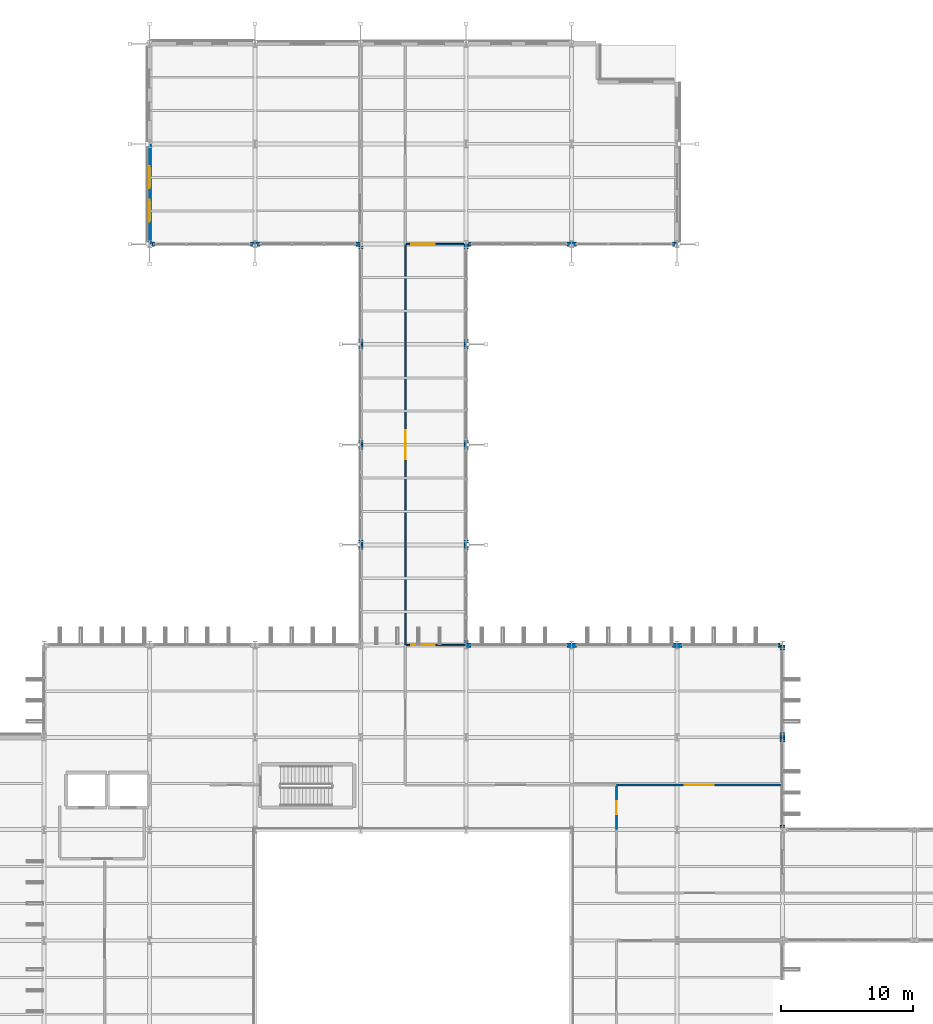
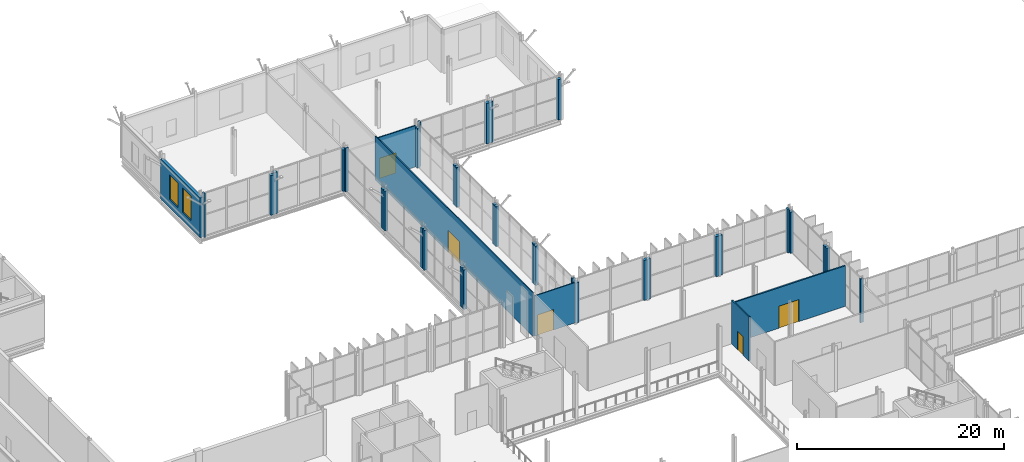
# One storey, part 123 of 147: 39 walls, 5 doors, 2 windows, 7 openings.
"""IFC4 building model written with IfcOpenShell, lengths in metres."""

from ifc_helpers import new_model, si_unit, direction, frame, frame_2d, origin, place, context, subcontext, project, spatial, rectangle, extrude, material, layer, layer_set, type_object, element, fill, save


model = new_model("IFC4")

# Units and contexts
model_context = context("Model", 3, precision=1e-05, world=origin(), true_north=direction((0.0, 1.0)))
body_context = subcontext(model_context, "Body", "Model", "MODEL_VIEW")
ifc_project = project(units=[si_unit("LENGTHUNIT", "METRE"), si_unit("AREAUNIT", "SQUARE_METRE"), si_unit("VOLUMEUNIT", "CUBIC_METRE"), si_unit("PLANEANGLEUNIT", "RADIAN"), si_unit("MASSUNIT", "GRAM", prefix="KILO")], contexts=[model_context])

# Site, building, storey
site_placement = place(None, origin())
site = spatial("IfcSite", under=ifc_project, at=site_placement, CompositionType="ELEMENT")
building_placement = place(site_placement, origin())
building = spatial("IfcBuilding", under=site, at=building_placement, Name="Vekula Escarpment Museum", CompositionType="ELEMENT")
storey_placement = place(building_placement, frame((0.0, 0.0, 7.800048828125)))
storey = spatial("IfcBuildingStorey", under=building, at=storey_placement, Name="L02", CompositionType="ELEMENT", Elevation=7.800048828125)

# Wall, openings, windows
ifc_material_1 = material(Name="Inkisi arkosic sandstone masonry", Category="masonry")
ifc_layer_1 = layer(ifc_material_1, 0.320068359375)
ifc_layer_set_1 = layer_set([ifc_layer_1], Name="Inkisi arkosic sandstone masonry")
wall_type_1 = type_object("IfcWallType", Name="WL-ALM-320", PredefinedType="SOLIDWALL", material=ifc_layer_set_1)
wall_1_placement = place(storey_placement, frame((78.0, 120.800048828125, 0.0), z_axis=(0.0, 0.0, 1.0), x_axis=(0.0, 1.0, 0.0)))
wall_1 = element("IfcWall", 1, at=wall_1_placement, inside=storey, type_object=wall_type_1, Name="Exterior Wall WL-EXT-L02-0454", PredefinedType="SOLIDWALL", context=body_context, shape_type="SweptSolid", body=[
    extrude(rectangle(XDim=7.599853515625, YDim=0.320068359375, at=frame_2d((3.7998046875, 0.0))), origin(), (0.0, 0.0, 1.0), 4.68505859375),
])
opening_1_placement = place(wall_1_placement, frame((1.708251953125, 0.0, 0.949951171875)))
opening_1 = element("IfcOpeningElement", 2, at=opening_1_placement, cuts=wall_1, Name="Opening WN-33", PredefinedType="OPENING", context=body_context, shape_type="SweptSolid", body=[
    extrude(rectangle(XDim=1.64990234375, YDim=2.89990234375, at=frame_2d((0.824951171875, 1.449951171875))), frame((0.0, 0.169921875, 0.0), z_axis=(0.0, -1.0, 0.0), x_axis=(1.0, 0.0, 0.0)), (0.0, 0.0, 1.0), 0.340087890625),
])
opening_2_placement = place(wall_1_placement, frame((4.24169921875, 0.0, 0.949951171875)))
opening_2 = element("IfcOpeningElement", 3, at=opening_2_placement, cuts=wall_1, Name="Opening WN-33", PredefinedType="OPENING", context=body_context, shape_type="SweptSolid", body=[
    extrude(rectangle(XDim=1.64990234375, YDim=2.89990234375, at=frame_2d((0.824951171875, 1.449951171875))), frame((0.0, 0.169921875, 0.0), z_axis=(0.0, -1.0, 0.0), x_axis=(1.0, 0.0, 0.0)), (0.0, 0.0, 1.0), 0.340087890625),
])
ifc_material_2 = material(Name="Double solar-control low-E glass", Category="glass")
window_type = type_object("IfcWindowType", Name="WN-GAL-16x29", PartitioningType="DOUBLE_PANEL_VERTICAL", PredefinedType="WINDOW", material=ifc_material_2)
window_1_placement = place(opening_1_placement, origin())
window_1 = element("IfcWindow", 4, at=window_1_placement, inside=storey, type_object=window_type, Name="Window L02-0235", OverallHeight=2.89990234375, OverallWidth=1.64990234375, PartitioningType="SINGLE_PANEL", PredefinedType="WINDOW", context=body_context, shape_type="SweptSolid", body=[
    extrude(rectangle(XDim=1.64990234375, YDim=2.89990234375, at=frame_2d((0.824951171875, 1.449951171875))), frame((0.0, 0.030029296875, 0.0), z_axis=(0.0, -1.0, 0.0), x_axis=(1.0, 0.0, 0.0)), (0.0, 0.0, 1.0), 0.06005859375),
])
fill(opening_1, window_1)
window_2_placement = place(opening_2_placement, origin())
window_2 = element("IfcWindow", 5, at=window_2_placement, inside=storey, type_object=window_type, Name="Window L02-0236", OverallHeight=2.89990234375, OverallWidth=1.64990234375, PartitioningType="SINGLE_PANEL", PredefinedType="WINDOW", context=body_context, shape_type="SweptSolid", body=[
    extrude(rectangle(XDim=1.64990234375, YDim=2.89990234375, at=frame_2d((0.824951171875, 1.449951171875))), frame((0.0, 0.030029296875, 0.0), z_axis=(0.0, -1.0, 0.0), x_axis=(1.0, 0.0, 0.0)), (0.0, 0.0, 1.0), 0.06005859375),
])
fill(opening_2, window_2)

# Walls
ifc_material_3 = material(Name="Inkisi arkosic sandstone masonry", Category="masonry")
ifc_layer_2 = layer(ifc_material_3, 0.35009765625)
ifc_layer_set_2 = layer_set([ifc_layer_2], Name="Inkisi arkosic sandstone masonry")
wall_type_2 = type_object("IfcWallType", Name="WL-ALM-350", PredefinedType="SOLIDWALL", material=ifc_layer_set_2)
wall_2_placement = place(storey_placement, frame((126.0, 76.5791015625, 0.0), z_axis=(0.0, 0.0, 1.0), x_axis=(0.0, 1.0, 0.0)))
element("IfcWall", 6, at=wall_2_placement, inside=storey, type_object=wall_type_2, Name="Facade Jamb Pier L02-0422A", PredefinedType="SOLIDWALL", context=body_context, shape_type="SweptSolid", body=[
    extrude(rectangle(XDim=0.180908203125, YDim=0.35009765625, at=frame_2d((0.09033203125, 0.0))), origin(), (0.0, 0.0, 1.0), 5.14990234375),
])
wall_3_placement = place(storey_placement, frame((126.0, 83.0400390625, 0.0), z_axis=(0.0, 0.0, 1.0), x_axis=(0.0, 1.0, 0.0)))
element("IfcWall", 7, at=wall_3_placement, inside=storey, type_object=wall_type_2, Name="Facade Jamb Pier L02-0423B", PredefinedType="SOLIDWALL", context=body_context, shape_type="SweptSolid", body=[
    extrude(rectangle(XDim=0.35986328125, YDim=0.35009765625, at=frame_2d((0.179931640625, 0.0))), origin(), (0.0, 0.0, 1.0), 4.844970703125),
])
wall_4_placement = place(storey_placement, frame((126.0, 83.39990234375, 0.0), z_axis=(0.0, 0.0, 1.0), x_axis=(0.0, 1.0, 0.0)))
element("IfcWall", 8, at=wall_4_placement, inside=storey, type_object=wall_type_2, Name="Facade Jamb Pier L02-0424A", PredefinedType="SOLIDWALL", context=body_context, shape_type="SweptSolid", body=[
    extrude(rectangle(XDim=0.360107421875, YDim=0.35009765625, at=frame_2d((0.18017578125, 0.0))), origin(), (0.0, 0.0, 1.0), 4.844970703125),
])
wall_5_placement = place(storey_placement, frame((126.0, 90.0400390625, 0.0), z_axis=(0.0, 0.0, 1.0), x_axis=(0.0, 1.0, 0.0)))
element("IfcWall", 9, at=wall_5_placement, inside=storey, type_object=wall_type_2, Name="Facade Jamb Pier L02-0425B", PredefinedType="SOLIDWALL", context=body_context, shape_type="SweptSolid", body=[
    extrude(rectangle(XDim=0.35986328125, YDim=0.35009765625, at=frame_2d((0.179931640625, 0.0))), origin(), (0.0, 0.0, 1.0), 4.844970703125),
])
wall_6_placement = place(storey_placement, frame((125.821044921875, 90.39990234375, 0.0), z_axis=(0.0, 0.0, 1.0), x_axis=(-1.0, 0.0, 0.0)))
element("IfcWall", 10, at=wall_6_placement, inside=storey, type_object=wall_type_2, Name="Facade Jamb Pier L02-0426A", PredefinedType="SOLIDWALL", context=body_context, shape_type="SweptSolid", body=[
    extrude(rectangle(XDim=0.18115234375, YDim=0.35009765625, at=frame_2d((0.090576171875, 0.0))), origin(), (0.0, 0.0, 1.0), 5.14990234375),
])
for number, where, z_axis, x_axis, name in (
    (11, (118.360107421875, 90.39990234375, 0.0), (0.0, 0.0, 1.0), (-1.0, 0.0, 0.0), "Facade Jamb Pier L02-0427B"),
    (12, (118.0, 90.39990234375, 0.0), (0.0, 0.0, 1.0), (-1.0, 0.0, 0.0), "Facade Jamb Pier L02-0428A"),
    (13, (110.360107421875, 90.39990234375, 0.0), (0.0, 0.0, 1.0), (-1.0, 0.0, 0.0), "Facade Jamb Pier L02-0429B"),
    (14, (110.0, 90.39990234375, 0.0), (0.0, 0.0, 1.0), (-1.0, 0.0, 0.0), "Facade Jamb Pier L02-0430A"),
    (15, (102.360107421875, 90.39990234375, 0.0), (0.0, 0.0, 1.0), (-1.0, 0.0, 0.0), "Facade Jamb Pier L02-0431B"),
):
    element("IfcWall", number, at=place(storey_placement, frame(where, z_axis=z_axis, x_axis=x_axis)), inside=storey, type_object=wall_type_2, Name=name, PredefinedType="SOLIDWALL", context=body_context, shape_type="SweptSolid", body=[
        extrude(rectangle(XDim=0.360107421875, YDim=0.35009765625, at=frame_2d((0.18017578125, 0.0))), origin(), (0.0, 0.0, 1.0), 4.744873046875),
    ])
wall_7_placement = place(storey_placement, frame((102.0, 90.5791015625, 0.0), z_axis=(0.0, 0.0, 1.0), x_axis=(0.0, 1.0, 0.0)))
element("IfcWall", 16, at=wall_7_placement, inside=storey, type_object=wall_type_2, Name="Facade Jamb Pier L02-0432A", PredefinedType="SOLIDWALL", context=body_context, shape_type="SweptSolid", body=[
    extrude(rectangle(XDim=0.180908203125, YDim=0.35009765625, at=frame_2d((0.09033203125, 0.0))), origin(), (0.0, 0.0, 1.0), 5.14990234375),
])
wall_8_placement = place(storey_placement, frame((102.0, 97.639892578125, 0.0), z_axis=(0.0, 0.0, 1.0), x_axis=(0.0, 1.0, 0.0)))
element("IfcWall", 17, at=wall_8_placement, inside=storey, type_object=wall_type_2, Name="Facade Jamb Pier L02-0433B", PredefinedType="SOLIDWALL", context=body_context, shape_type="SweptSolid", body=[
    extrude(rectangle(XDim=0.360107421875, YDim=0.35009765625, at=frame_2d((0.18017578125, 0.0))), origin(), (0.0, 0.0, 1.0), 4.635009765625),
])
for number, where, z_axis, x_axis, name in (
    (18, (102.0, 98.0, 0.0), (0.0, 0.0, 1.0), (0.0, 1.0, 0.0), "Facade Jamb Pier L02-0434A"),
    (19, (102.0, 105.239990234375, 0.0), (0.0, 0.0, 1.0), (0.0, 1.0, 0.0), "Facade Jamb Pier L02-0435B"),
):
    element("IfcWall", number, at=place(storey_placement, frame(where, z_axis=z_axis, x_axis=x_axis)), inside=storey, type_object=wall_type_2, Name=name, PredefinedType="SOLIDWALL", context=body_context, shape_type="SweptSolid", body=[
        extrude(rectangle(XDim=0.360107421875, YDim=0.35009765625, at=frame_2d((0.18017578125, 0.0))), origin(), (0.0, 0.0, 1.0), 4.68505859375),
    ])
for number, where, z_axis, x_axis, name in (
    (20, (102.0, 105.60009765625, 0.0), (0.0, 0.0, 1.0), (0.0, 1.0, 0.0), "Facade Jamb Pier L02-0436A"),
    (21, (102.0, 112.840087890625, 0.0), (0.0, 0.0, 1.0), (0.0, 1.0, 0.0), "Facade Jamb Pier L02-0437B"),
):
    element("IfcWall", number, at=place(storey_placement, frame(where, z_axis=z_axis, x_axis=x_axis)), inside=storey, type_object=wall_type_2, Name=name, PredefinedType="SOLIDWALL", context=body_context, shape_type="SweptSolid", body=[
        extrude(rectangle(XDim=0.35986328125, YDim=0.35009765625, at=frame_2d((0.179931640625, 0.0))), origin(), (0.0, 0.0, 1.0), 4.68505859375),
    ])
for number, where, z_axis, x_axis, name in (
    (22, (102.0, 113.199951171875, 0.0), (0.0, 0.0, 1.0), (0.0, 1.0, 0.0), "Facade Jamb Pier L02-0438A"),
    (23, (102.0, 120.43994140625, 0.0), (0.0, 0.0, 1.0), (0.0, 1.0, 0.0), "Facade Jamb Pier L02-0439B"),
):
    element("IfcWall", number, at=place(storey_placement, frame(where, z_axis=z_axis, x_axis=x_axis)), inside=storey, type_object=wall_type_2, Name=name, PredefinedType="SOLIDWALL", context=body_context, shape_type="SweptSolid", body=[
        extrude(rectangle(XDim=0.360107421875, YDim=0.35009765625, at=frame_2d((0.18017578125, 0.0))), origin(), (0.0, 0.0, 1.0), 4.68505859375),
    ])
wall_9_placement = place(storey_placement, frame((102.178955078125, 120.800048828125, 0.0), z_axis=(0.0, 0.0, 1.0), x_axis=(1.0, 0.0, 0.0)))
element("IfcWall", 24, at=wall_9_placement, inside=storey, type_object=wall_type_2, Name="Facade Jamb Pier L02-0440A", PredefinedType="SOLIDWALL", context=body_context, shape_type="SweptSolid", body=[
    extrude(rectangle(XDim=0.18115234375, YDim=0.35009765625, at=frame_2d((0.090576171875, 0.0))), origin(), (0.0, 0.0, 1.0), 5.14990234375),
])
for number, where, z_axis, x_axis, name in (
    (25, (109.639892578125, 120.800048828125, 0.0), (0.0, 0.0, 1.0), (1.0, 0.0, 0.0), "Facade Jamb Pier L02-0441B"),
    (26, (110.0, 120.800048828125, 0.0), (0.0, 0.0, 1.0), (1.0, 0.0, 0.0), "Facade Jamb Pier L02-0442A"),
    (27, (117.639892578125, 120.800048828125, 0.0), (0.0, 0.0, 1.0), (1.0, 0.0, 0.0), "Facade Jamb Pier L02-0443B"),
):
    element("IfcWall", number, at=place(storey_placement, frame(where, z_axis=z_axis, x_axis=x_axis)), inside=storey, type_object=wall_type_2, Name=name, PredefinedType="SOLIDWALL", context=body_context, shape_type="SweptSolid", body=[
        extrude(rectangle(XDim=0.360107421875, YDim=0.35009765625, at=frame_2d((0.18017578125, 0.0))), origin(), (0.0, 0.0, 1.0), 4.784912109375),
    ])
wall_10_placement = place(storey_placement, frame((78.1640625, 120.800048828125, 0.0), z_axis=(0.0, 0.0, 1.0), x_axis=(1.0, 0.0, 0.0)))
element("IfcWall", 28, at=wall_10_placement, inside=storey, type_object=wall_type_2, Name="Facade Jamb Pier L02-0455A", PredefinedType="SOLIDWALL", context=body_context, shape_type="SweptSolid", body=[
    extrude(rectangle(XDim=0.196044921875, YDim=0.35009765625, at=frame_2d((0.09814453125, 0.0))), origin(), (0.0, 0.0, 1.0), 5.14990234375),
])
wall_11_placement = place(storey_placement, frame((85.639892578125, 120.800048828125, 0.0), z_axis=(0.0, 0.0, 1.0), x_axis=(1.0, 0.0, 0.0)))
element("IfcWall", 29, at=wall_11_placement, inside=storey, type_object=wall_type_2, Name="Facade Jamb Pier L02-0456B", PredefinedType="SOLIDWALL", context=body_context, shape_type="SweptSolid", body=[
    extrude(rectangle(XDim=0.360107421875, YDim=0.35009765625, at=frame_2d((0.18017578125, 0.0))), origin(), (0.0, 0.0, 1.0), 4.68505859375),
])
for number, where, z_axis, x_axis, name in (
    (30, (86.0, 120.800048828125, 0.0), (0.0, 0.0, 1.0), (1.0, 0.0, 0.0), "Facade Jamb Pier L02-0457A"),
    (31, (93.639892578125, 120.800048828125, 0.0), (0.0, 0.0, 1.0), (1.0, 0.0, 0.0), "Facade Jamb Pier L02-0458B"),
):
    element("IfcWall", number, at=place(storey_placement, frame(where, z_axis=z_axis, x_axis=x_axis)), inside=storey, type_object=wall_type_2, Name=name, PredefinedType="SOLIDWALL", context=body_context, shape_type="SweptSolid", body=[
        extrude(rectangle(XDim=0.360107421875, YDim=0.35009765625, at=frame_2d((0.18017578125, 0.0))), origin(), (0.0, 0.0, 1.0), 4.905029296875),
    ])
wall_12_placement = place(storey_placement, frame((94.0, 120.62109375, 0.0), z_axis=(0.0, 0.0, 1.0), x_axis=(0.0, -1.0, 0.0)))
element("IfcWall", 32, at=wall_12_placement, inside=storey, type_object=wall_type_2, Name="Facade Jamb Pier L02-0459A", PredefinedType="SOLIDWALL", context=body_context, shape_type="SweptSolid", body=[
    extrude(rectangle(XDim=0.18115234375, YDim=0.35009765625, at=frame_2d((0.090576171875, 0.0))), origin(), (0.0, 0.0, 1.0), 5.14990234375),
])
wall_13_placement = place(storey_placement, frame((94.0, 113.56005859375, 0.0), z_axis=(0.0, 0.0, 1.0), x_axis=(0.0, -1.0, 0.0)))
element("IfcWall", 33, at=wall_13_placement, inside=storey, type_object=wall_type_2, Name="Facade Jamb Pier L02-0460B", PredefinedType="SOLIDWALL", context=body_context, shape_type="SweptSolid", body=[
    extrude(rectangle(XDim=0.360107421875, YDim=0.35009765625, at=frame_2d((0.18017578125, 0.0))), origin(), (0.0, 0.0, 1.0), 4.68505859375),
])
for number, where, z_axis, x_axis, name in (
    (34, (94.0, 113.199951171875, 0.0), (0.0, 0.0, 1.0), (0.0, -1.0, 0.0), "Facade Jamb Pier L02-0461A"),
    (35, (94.0, 105.9599609375, 0.0), (0.0, 0.0, 1.0), (0.0, -1.0, 0.0), "Facade Jamb Pier L02-0462B"),
):
    element("IfcWall", number, at=place(storey_placement, frame(where, z_axis=z_axis, x_axis=x_axis)), inside=storey, type_object=wall_type_2, Name=name, PredefinedType="SOLIDWALL", context=body_context, shape_type="SweptSolid", body=[
        extrude(rectangle(XDim=0.35986328125, YDim=0.35009765625, at=frame_2d((0.179931640625, 0.0))), origin(), (0.0, 0.0, 1.0), 4.68505859375),
    ])
for number, where, z_axis, x_axis, name in (
    (36, (94.0, 105.60009765625, 0.0), (0.0, 0.0, 1.0), (0.0, -1.0, 0.0), "Facade Jamb Pier L02-0463A"),
    (37, (94.0, 98.360107421875, 0.0), (0.0, 0.0, 1.0), (0.0, -1.0, 0.0), "Facade Jamb Pier L02-0464B"),
):
    element("IfcWall", number, at=place(storey_placement, frame(where, z_axis=z_axis, x_axis=x_axis)), inside=storey, type_object=wall_type_2, Name=name, PredefinedType="SOLIDWALL", context=body_context, shape_type="SweptSolid", body=[
        extrude(rectangle(XDim=0.360107421875, YDim=0.35009765625, at=frame_2d((0.18017578125, 0.0))), origin(), (0.0, 0.0, 1.0), 4.68505859375),
    ])
wall_14_placement = place(storey_placement, frame((94.0, 98.0, 0.0), z_axis=(0.0, 0.0, 1.0), x_axis=(0.0, -1.0, 0.0)))
element("IfcWall", 38, at=wall_14_placement, inside=storey, type_object=wall_type_2, Name="Facade Jamb Pier L02-0465A", PredefinedType="SOLIDWALL", context=body_context, shape_type="SweptSolid", body=[
    extrude(rectangle(XDim=0.360107421875, YDim=0.35009765625, at=frame_2d((0.18017578125, 0.0))), origin(), (0.0, 0.0, 1.0), 4.635009765625),
])

# Wall, opening, door
ifc_material_4 = material(Name="Lightweight studio partition", Category="gypsum")
ifc_layer_3 = layer(ifc_material_4, 0.1201171875)
ifc_layer_set_3 = layer_set([ifc_layer_3], Name="Lightweight studio partition")
wall_type_3 = type_object("IfcWallType", Name="WL-PART-120", PredefinedType="PARTITIONING", material=ifc_layer_set_3)
wall_15_placement = place(storey_placement, frame((97.47900390625, 120.800048828125, 0.0), z_axis=(0.0, 0.0, 1.0), x_axis=(1.0, 0.0, 0.0)))
wall_15 = element("IfcWall", 39, at=wall_15_placement, inside=storey, type_object=wall_type_3, Name="Interior Partition WL-INT-L02-0009", PredefinedType="PARTITIONING", context=body_context, shape_type="SweptSolid", body=[
    extrude(rectangle(XDim=4.342041015625, YDim=0.1201171875, at=frame_2d((2.1708984375, 0.0))), origin(), (0.0, 0.0, 1.0), 4.864990234375),
])
opening_3_placement = place(wall_15_placement, frame((0.35009765625, 0.0, 0.0)))
opening_3 = element("IfcOpeningElement", 40, at=opening_3_placement, cuts=wall_15, Name="Opening DR-GL18", PredefinedType="OPENING", context=body_context, shape_type="SweptSolid", body=[
    extrude(rectangle(XDim=1.800048828125, YDim=2.39990234375, at=frame_2d((0.89990234375, 1.199951171875))), frame((0.0, 0.070068359375, 0.0), z_axis=(0.0, -1.0, 0.0), x_axis=(1.0, 0.0, 0.0)), (0.0, 0.0, 1.0), 0.14013671875),
])
ifc_material_5 = material(Name="Double glazed gallery portal door", Category="steel")
door_type_1 = type_object("IfcDoorType", Name="DR-GAL-1800x2400", OperationType="NOTDEFINED", PredefinedType="DOOR", material=ifc_material_5)
door_1_placement = place(opening_3_placement, origin())
door_1 = element("IfcDoor", 41, at=door_1_placement, inside=storey, type_object=door_type_1, Name="Interior Door L02-009", OperationType="SINGLE_SWING_LEFT", OverallHeight=2.39990234375, OverallWidth=1.800048828125, PredefinedType="DOOR", context=body_context, shape_type="SweptSolid", body=[
    extrude(rectangle(XDim=1.800048828125, YDim=2.39990234375, at=frame_2d((0.89990234375, 1.199951171875))), frame((0.0, 0.02490234375, 0.0), z_axis=(0.0, -1.0, 0.0), x_axis=(1.0, 0.0, 0.0)), (0.0, 0.0, 1.0), 0.050048828125),
])
fill(opening_3, door_1)

wall_16_placement = place(storey_placement, frame((97.47900390625, 90.39990234375, 0.0), z_axis=(0.0, 0.0, 1.0), x_axis=(1.0, 0.0, 0.0)))
wall_16 = element("IfcWall", 42, at=wall_16_placement, inside=storey, type_object=wall_type_3, Name="Interior Partition WL-INT-L02-0042", PredefinedType="PARTITIONING", context=body_context, shape_type="SweptSolid", body=[
    extrude(rectangle(XDim=4.52099609375, YDim=0.1201171875, at=frame_2d((2.260498046875, 0.0))), origin(), (0.0, 0.0, 1.0), 4.744873046875),
])
opening_4_placement = place(wall_16_placement, frame((0.35009765625, 0.0, 0.0)))
opening_4 = element("IfcOpeningElement", 43, at=opening_4_placement, cuts=wall_16, Name="Opening DR-GL18", PredefinedType="OPENING", context=body_context, shape_type="SweptSolid", body=[
    extrude(rectangle(XDim=1.800048828125, YDim=2.39990234375, at=frame_2d((0.89990234375, 1.199951171875))), frame((0.0, 0.070068359375, 0.0), z_axis=(0.0, -1.0, 0.0), x_axis=(1.0, 0.0, 0.0)), (0.0, 0.0, 1.0), 0.14013671875),
])
door_2_placement = place(opening_4_placement, origin())
door_2 = element("IfcDoor", 44, at=door_2_placement, inside=storey, type_object=door_type_1, Name="Interior Door L02-040", OperationType="SINGLE_SWING_RIGHT", OverallHeight=2.39990234375, OverallWidth=1.800048828125, PredefinedType="DOOR", context=body_context, shape_type="SweptSolid", body=[
    extrude(rectangle(XDim=1.800048828125, YDim=2.39990234375, at=frame_2d((0.89990234375, 1.199951171875))), frame((0.0, 0.02490234375, 0.0), z_axis=(0.0, -1.0, 0.0), x_axis=(1.0, 0.0, 0.0)), (0.0, 0.0, 1.0), 0.050048828125),
])
fill(opening_4, door_2)

wall_17_placement = place(storey_placement, frame((97.39990234375, 90.39990234375, 0.0), z_axis=(0.0, 0.0, 1.0), x_axis=(0.0, 1.0, 0.0)))
wall_17 = element("IfcWall", 45, at=wall_17_placement, inside=storey, type_object=wall_type_3, Name="Interior Partition WL-INT-L02-0081", PredefinedType="PARTITIONING", context=body_context, shape_type="SweptSolid", body=[
    extrude(rectangle(XDim=30.400146484375, YDim=0.1201171875, at=frame_2d((15.2001953125, 0.0))), origin(), (0.0, 0.0, 1.0), 5.14990234375),
])
opening_5_placement = place(wall_17_placement, frame((14.10009765625, 0.0, 0.0)))
opening_5 = element("IfcOpeningElement", 46, at=opening_5_placement, cuts=wall_17, Name="Opening DR-GL22", PredefinedType="OPENING", context=body_context, shape_type="SweptSolid", body=[
    extrude(rectangle(XDim=2.199951171875, YDim=2.60009765625, at=frame_2d((1.10009765625, 1.300048828125))), frame((0.0, 0.070068359375, 0.0), z_axis=(0.0, -1.0, 0.0), x_axis=(1.0, 0.0, 0.0)), (0.0, 0.0, 1.0), 0.14013671875),
])
ifc_material_6 = material(Name="Double acoustic timber gallery door", Category="wood")
door_type_2 = type_object("IfcDoorType", Name="DR-GAL-2200x2600", OperationType="NOTDEFINED", PredefinedType="DOOR", material=ifc_material_6)
door_3_placement = place(opening_5_placement, origin())
door_3 = element("IfcDoor", 47, at=door_3_placement, inside=storey, type_object=door_type_2, Name="Interior Door L02-071", OperationType="SINGLE_SWING_LEFT", OverallHeight=2.60009765625, OverallWidth=2.199951171875, PredefinedType="DOOR", context=body_context, shape_type="SweptSolid", body=[
    extrude(rectangle(XDim=2.199951171875, YDim=2.60009765625, at=frame_2d((1.10009765625, 1.300048828125))), frame((0.0, 0.02490234375, 0.0), z_axis=(0.0, -1.0, 0.0), x_axis=(1.0, 0.0, 0.0)), (0.0, 0.0, 1.0), 0.050048828125),
])
fill(opening_5, door_3)

ifc_material_7 = material(Name="Gypsum board gallery partition", Category="gypsum")
ifc_layer_4 = layer(ifc_material_7, 0.159912109375)
ifc_layer_set_4 = layer_set([ifc_layer_4], Name="Gypsum board gallery partition")
wall_type_4 = type_object("IfcWallType", Name="WL-PART-160", PredefinedType="PARTITIONING", material=ifc_layer_set_4)
wall_18_placement = place(storey_placement, frame((113.39990234375, 76.39990234375, 0.0), z_axis=(0.0, 0.0, 1.0), x_axis=(0.0, 1.0, 0.0)))
wall_18 = element("IfcWall", 48, at=wall_18_placement, inside=storey, type_object=wall_type_4, Name="Interior Partition WL-INT-L02-0037", PredefinedType="PARTITIONING", context=body_context, shape_type="SweptSolid", body=[
    extrude(rectangle(XDim=3.321044921875, YDim=0.159912109375, at=frame_2d((1.66064453125, 0.0))), origin(), (0.0, 0.0, 1.0), 5.14990234375),
])
opening_6_placement = place(wall_18_placement, frame((1.160400390625, 0.0, 0.0)))
opening_6 = element("IfcOpeningElement", 49, at=opening_6_placement, cuts=wall_18, Name="Opening DR-OF10", PredefinedType="OPENING", context=body_context, shape_type="SweptSolid", body=[
    extrude(rectangle(XDim=1.0, YDim=2.14990234375, at=frame_2d((0.5, 1.074951171875))), frame((0.0, 0.08984375, 0.0), z_axis=(0.0, -1.0, 0.0), x_axis=(1.0, 0.0, 0.0)), (0.0, 0.0, 1.0), 0.179931640625),
])
ifc_material_8 = material(Name="Solid core timber study door", Category="wood")
door_type_3 = type_object("IfcDoorType", Name="DR-OFF-1000x2150", OperationType="NOTDEFINED", PredefinedType="DOOR", material=ifc_material_8)
door_4_placement = place(opening_6_placement, origin())
door_4 = element("IfcDoor", 50, at=door_4_placement, inside=storey, type_object=door_type_3, Name="Interior Door L02-035", OperationType="SINGLE_SWING_LEFT", OverallHeight=2.14990234375, OverallWidth=1.0, PredefinedType="DOOR", context=body_context, shape_type="SweptSolid", body=[
    extrude(rectangle(XDim=1.0, YDim=2.14990234375, at=frame_2d((0.5, 1.074951171875))), frame((0.0, 0.02490234375, 0.0), z_axis=(0.0, -1.0, 0.0), x_axis=(1.0, 0.0, 0.0)), (0.0, 0.0, 1.0), 0.050048828125),
])
fill(opening_6, door_4)

wall_19_placement = place(storey_placement, frame((113.39990234375, 79.800048828125, 0.0), z_axis=(0.0, 0.0, 1.0), x_axis=(1.0, 0.0, 0.0)))
wall_19 = element("IfcWall", 51, at=wall_19_placement, inside=storey, type_object=wall_type_4, Name="Interior Partition WL-INT-L02-0040", PredefinedType="PARTITIONING", context=body_context, shape_type="SweptSolid", body=[
    extrude(rectangle(XDim=12.60009765625, YDim=0.159912109375, at=frame_2d((6.300048828125, 0.0))), origin(), (0.0, 0.0, 1.0), 4.77490234375),
])
opening_7_placement = place(wall_19_placement, frame((5.199951171875, 0.0, 0.0)))
opening_7 = element("IfcOpeningElement", 52, at=opening_7_placement, cuts=wall_19, Name="Opening DR-GL22", PredefinedType="OPENING", context=body_context, shape_type="SweptSolid", body=[
    extrude(rectangle(XDim=2.199951171875, YDim=2.60009765625, at=frame_2d((1.10009765625, 1.300048828125))), frame((0.0, 0.08984375, 0.0), z_axis=(0.0, -1.0, 0.0), x_axis=(1.0, 0.0, 0.0)), (0.0, 0.0, 1.0), 0.179931640625),
])
door_5_placement = place(opening_7_placement, origin())
door_5 = element("IfcDoor", 53, at=door_5_placement, inside=storey, type_object=door_type_2, Name="Interior Door L02-038", OperationType="SINGLE_SWING_RIGHT", OverallHeight=2.60009765625, OverallWidth=2.199951171875, PredefinedType="DOOR", context=body_context, shape_type="SweptSolid", body=[
    extrude(rectangle(XDim=2.199951171875, YDim=2.60009765625, at=frame_2d((1.10009765625, 1.300048828125))), frame((0.0, 0.02490234375, 0.0), z_axis=(0.0, -1.0, 0.0), x_axis=(1.0, 0.0, 0.0)), (0.0, 0.0, 1.0), 0.050048828125),
])
fill(opening_7, door_5)

save(model, "model.ifc")
